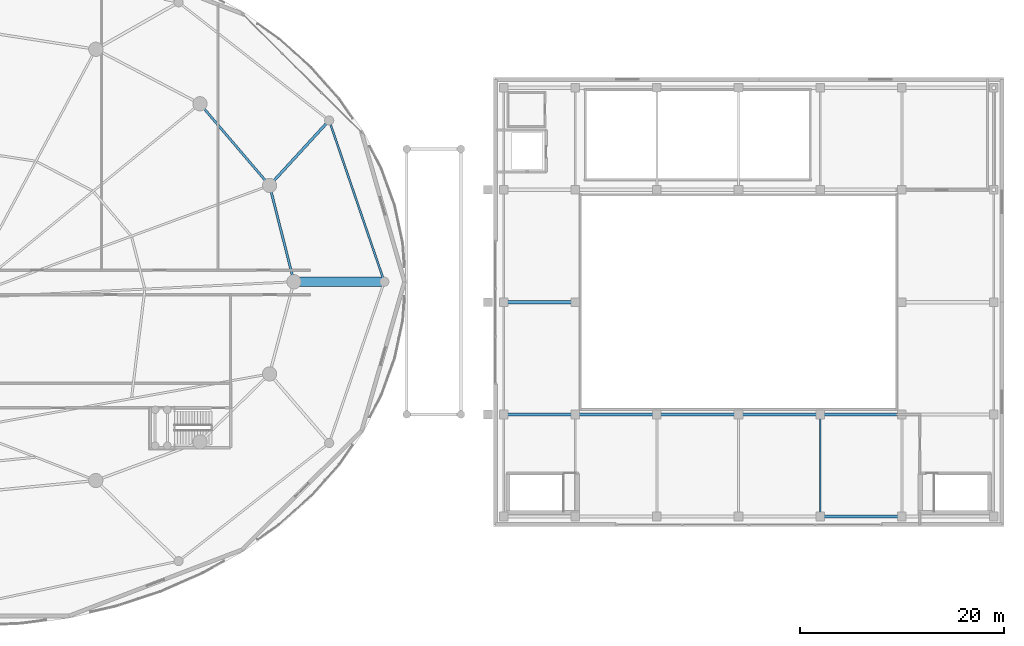
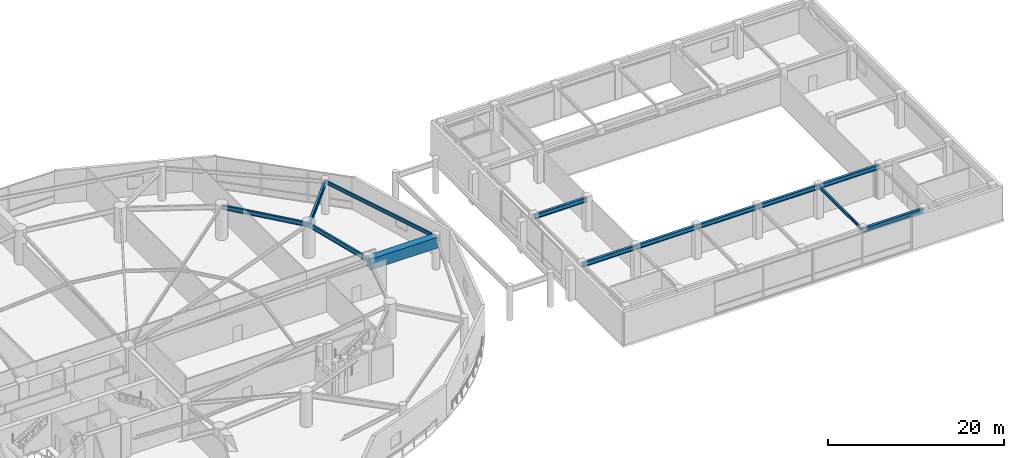
# One storey, part 15 of 36: 13 beams.
"""IFC4 building model written with IfcOpenShell, lengths in metres."""

from ifc_helpers import new_model, si_unit, direction, frame, origin, origin_2d, place, context, subcontext, project, spatial, rectangle, i_section, extrude, material, material_profile, profile_set, type_object, element, save


model = new_model("IFC4")

# Units and contexts
model_context = context("Model", 3, precision=1e-05, world=origin(), true_north=direction((0.0, 1.0)))
body_context = subcontext(model_context, "Body", "Model", "MODEL_VIEW")
ifc_project = project(units=[si_unit("LENGTHUNIT", "METRE"), si_unit("AREAUNIT", "SQUARE_METRE"), si_unit("VOLUMEUNIT", "CUBIC_METRE"), si_unit("PLANEANGLEUNIT", "RADIAN"), si_unit("MASSUNIT", "GRAM", prefix="KILO")], contexts=[model_context])

# Site, building, storey
site_placement = place(None, origin())
site = spatial("IfcSite", under=ifc_project, at=site_placement, CompositionType="ELEMENT")
building_placement = place(site_placement, origin())
building = spatial("IfcBuilding", under=site, at=building_placement, Name="Kazevale Care Tower and Concert Hall", CompositionType="ELEMENT")
storey_placement = place(building_placement, frame((0.0, 0.0, 14.39990234375)))
storey = spatial("IfcBuildingStorey", under=building, at=storey_placement, Name="L03", CompositionType="ELEMENT", Elevation=14.39990234375)

# Beams
ifc_material_1 = material(Name="Steel ASTM A572 Gr 50", Category="steel")
ifc_material_profile_1 = material_profile(ifc_material_1, i_section(OverallWidth=0.323974609375, OverallDepth=0.611083984375, WebThickness=0.0126953125, FlangeThickness=0.01904296875, at=origin_2d()), Name="W610x155")
ifc_profile_set_1 = profile_set([ifc_material_profile_1], Name="Steel ASTM A572 Gr 50")
beam_type_1 = type_object("IfcBeamType", Name="Concert Hall Frame Girder W610x155", PredefinedType="BEAM", material=ifc_profile_set_1)
beam_1_placement = place(storey_placement, frame((128.0, 15.0, 4.214599609375), z_axis=(1.0, 0.0, 0.0), x_axis=(0.0, 1.0, 0.0)))
element("IfcBeam", 1, at=beam_1_placement, inside=storey, type_object=beam_type_1, Name="beam:L03:hx:128_15", PredefinedType="BEAM", context=body_context, shape_type="SweptSolid", body=[
    extrude(i_section(OverallWidth=0.323974609375, OverallDepth=0.611083984375, WebThickness=0.0126953125, FlangeThickness=0.01904296875, at=origin_2d()), origin(), (0.0, 0.0, 1.0), 8.0),
])
beam_2_placement = place(storey_placement, frame((97.0, 25.0, 4.214599609375), z_axis=(1.0, 0.0, 0.0), x_axis=(0.0, 1.0, 0.0)))
element("IfcBeam", 2, at=beam_2_placement, inside=storey, type_object=beam_type_1, Name="beam:L03:hx:97_25", PredefinedType="BEAM", context=body_context, shape_type="SweptSolid", body=[
    extrude(i_section(OverallWidth=0.323974609375, OverallDepth=0.611083984375, WebThickness=0.0126953125, FlangeThickness=0.01904296875, at=origin_2d()), origin(), (0.0, 0.0, 1.0), 7.0),
])
for number, where, z_axis, x_axis, name in (
    (3, (104.0, 25.0, 4.214599609375), (1.0, 0.0, 0.0), (0.0, 1.0, 0.0), "beam:L03:hx:104_25"),
    (4, (112.0, 25.0, 4.214599609375), (1.0, 0.0, 0.0), (0.0, 1.0, 0.0), "beam:L03:hx:112_25"),
    (5, (120.0, 25.0, 4.214599609375), (1.0, 0.0, 0.0), (0.0, 1.0, 0.0), "beam:L03:hx:120_25"),
    (6, (128.0, 25.0, 4.214599609375), (1.0, 0.0, 0.0), (0.0, 1.0, 0.0), "beam:L03:hx:128_25"),
):
    element("IfcBeam", number, at=place(storey_placement, frame(where, z_axis=z_axis, x_axis=x_axis)), inside=storey, type_object=beam_type_1, Name=name, PredefinedType="BEAM", context=body_context, shape_type="SweptSolid", body=[
        extrude(i_section(OverallWidth=0.323974609375, OverallDepth=0.611083984375, WebThickness=0.0126953125, FlangeThickness=0.01904296875, at=origin_2d()), origin(), (0.0, 0.0, 1.0), 8.0),
    ])
beam_3_placement = place(storey_placement, frame((97.0, 36.0, 4.214599609375), z_axis=(1.0, 0.0, 0.0), x_axis=(0.0, 1.0, 0.0)))
element("IfcBeam", 7, at=beam_3_placement, inside=storey, type_object=beam_type_1, Name="beam:L03:hx:97_36", PredefinedType="BEAM", context=body_context, shape_type="SweptSolid", body=[
    extrude(i_section(OverallWidth=0.323974609375, OverallDepth=0.611083984375, WebThickness=0.0126953125, FlangeThickness=0.01904296875, at=origin_2d()), origin(), (0.0, 0.0, 1.0), 7.0),
])
ifc_material_profile_2 = material_profile(ifc_material_1, i_section(OverallWidth=0.180908203125, OverallDepth=0.4169921875, WebThickness=0.010986328125, FlangeThickness=0.018310546875, at=origin_2d()), Name="W410x85")
ifc_profile_set_2 = profile_set([ifc_material_profile_2], Name="Steel ASTM A572 Gr 50")
beam_type_2 = type_object("IfcBeamType", Name="Concert Hall Secondary Beam W410x85", PredefinedType="BEAM", material=ifc_profile_set_2)
beam_4_placement = place(storey_placement, frame((128.0, 15.0, 4.3115234375), z_axis=(0.0, 1.0, 0.0), x_axis=(-1.0, 0.0, 0.0)))
element("IfcBeam", 8, at=beam_4_placement, inside=storey, type_object=beam_type_2, Name="beam:L03:hy:128_15", PredefinedType="BEAM", context=body_context, shape_type="SweptSolid", body=[
    extrude(i_section(OverallWidth=0.180908203125, OverallDepth=0.4169921875, WebThickness=0.010986328125, FlangeThickness=0.018310546875, at=origin_2d()), origin(), (0.0, 0.0, 1.0), 10.0),
])
ifc_material_profile_3 = material_profile(ifc_material_1, i_section(OverallWidth=0.194091796875, OverallDepth=0.468994140625, WebThickness=0.0126953125, FlangeThickness=0.0205078125, at=origin_2d()), Name="W460x106")
ifc_profile_set_3 = profile_set([ifc_material_profile_3], Name="Steel ASTM A572 Gr 50")
beam_type_3 = type_object("IfcBeamType", Name="Podium Floor Beam W460x106", PredefinedType="BEAM", material=ifc_profile_set_3)
beam_5_placement = place(storey_placement, frame((85.300048828125, 38.0, 4.28564453125), z_axis=(-0.323412440773, 0.946258100707, 0.0), x_axis=(-0.946258100707, -0.323412440773, 0.0)))
element("IfcBeam", 9, at=beam_5_placement, inside=storey, type_object=beam_type_3, Name="beam:L03:podring:01", PredefinedType="BEAM", context=body_context, shape_type="SweptSolid", body=[
    extrude(i_section(OverallWidth=0.194091796875, OverallDepth=0.468994140625, WebThickness=0.0126953125, FlangeThickness=0.0205078125, at=origin_2d()), origin(), (0.0, 0.0, 1.0), 16.697509765625),
])
ifc_material_profile_4 = material_profile(ifc_material_1, i_section(OverallWidth=0.26806640625, OverallDepth=0.77001953125, WebThickness=0.015625, FlangeThickness=0.025390625, at=origin_2d()), Name="W760x196")
ifc_profile_set_4 = profile_set([ifc_material_profile_4], Name="Steel ASTM A572 Gr 50")
beam_type_4 = type_object("IfcBeamType", Name="Podium Primary Girder W760x196", PredefinedType="BEAM", material=ifc_profile_set_4)
beam_6_placement = place(storey_placement, frame((74.06005859375, 47.429931640625, 4.135009765625), z_axis=(0.675760447671, 0.737121304375, 0.0), x_axis=(-0.737121304375, 0.675760447671, 0.0)))
element("IfcBeam", 10, at=beam_6_placement, inside=storey, type_object=beam_type_4, Name="beam:L03:podrad:02", PredefinedType="BEAM", context=body_context, shape_type="SweptSolid", body=[
    extrude(i_section(OverallWidth=0.26806640625, OverallDepth=0.77001953125, WebThickness=0.015625, FlangeThickness=0.025390625, at=origin_2d()), origin(), (0.0, 0.0, 1.0), 8.641845703125),
])
ifc_material_2 = material(Name="Concrete C60", Category="concrete")
ifc_material_profile_5 = material_profile(ifc_material_2, rectangle(XDim=0.89990234375, YDim=1.5, at=origin_2d()), Name="RC-TG900x1500")
ifc_profile_set_5 = profile_set([ifc_material_profile_5], Name="Concrete C60")
beam_type_5 = type_object("IfcBeamType", Name="Podium Transfer Girder RC900x1500", PredefinedType="BEAM", material=ifc_profile_set_5)
beam_7_placement = place(storey_placement, frame((76.449951171875, 38.0, 3.77001953125), z_axis=(1.0, 0.0, 0.0), x_axis=(0.0, 1.0, 0.0)))
element("IfcBeam", 11, at=beam_7_placement, inside=storey, type_object=beam_type_5, Name="beam:L03:podtg:1", PredefinedType="BEAM", context=body_context, shape_type="SweptSolid", body=[
    extrude(rectangle(XDim=0.89990234375, YDim=1.5, at=origin_2d()), origin(), (0.0, 0.0, 1.0), 8.85009765625),
])
ifc_material_profile_6 = material_profile(ifc_material_1, i_section(OverallWidth=0.22900390625, OverallDepth=0.612060546875, WebThickness=0.011962890625, FlangeThickness=0.01953125, at=origin_2d()), Name="W610x125")
ifc_profile_set_6 = profile_set([ifc_material_profile_6], Name="Steel ASTM A572 Gr 50")
beam_type_6 = type_object("IfcBeamType", Name="Ring Spandrel Beam W610x125", PredefinedType="SPANDREL", material=ifc_profile_set_6)
beam_8_placement = place(storey_placement, frame((76.449951171875, 38.0, 4.214111328125), z_axis=(-0.245669948409, 0.969353535326, 0.0), x_axis=(-0.969353535326, -0.245669948409, 0.0)))
element("IfcBeam", 12, at=beam_8_placement, inside=storey, type_object=beam_type_6, Name="beam:L03:ring:01", PredefinedType="SPANDREL", context=body_context, shape_type="SweptSolid", body=[
    extrude(i_section(OverallWidth=0.22900390625, OverallDepth=0.612060546875, WebThickness=0.011962890625, FlangeThickness=0.01953125, at=origin_2d()), origin(), (0.0, 0.0, 1.0), 9.72802734375),
])
beam_9_placement = place(storey_placement, frame((74.06005859375, 47.429931640625, 4.214111328125), z_axis=(-0.648756004283, 0.760996482848, 0.0), x_axis=(-0.760996482848, -0.648756004283, 0.0)))
element("IfcBeam", 13, at=beam_9_placement, inside=storey, type_object=beam_type_6, Name="beam:L03:ring:02", PredefinedType="SPANDREL", context=body_context, shape_type="SweptSolid", body=[
    extrude(i_section(OverallWidth=0.22900390625, OverallDepth=0.612060546875, WebThickness=0.011962890625, FlangeThickness=0.01953125, at=origin_2d()), origin(), (0.0, 0.0, 1.0), 10.512451171875),
])

save(model, "model.ifc")
